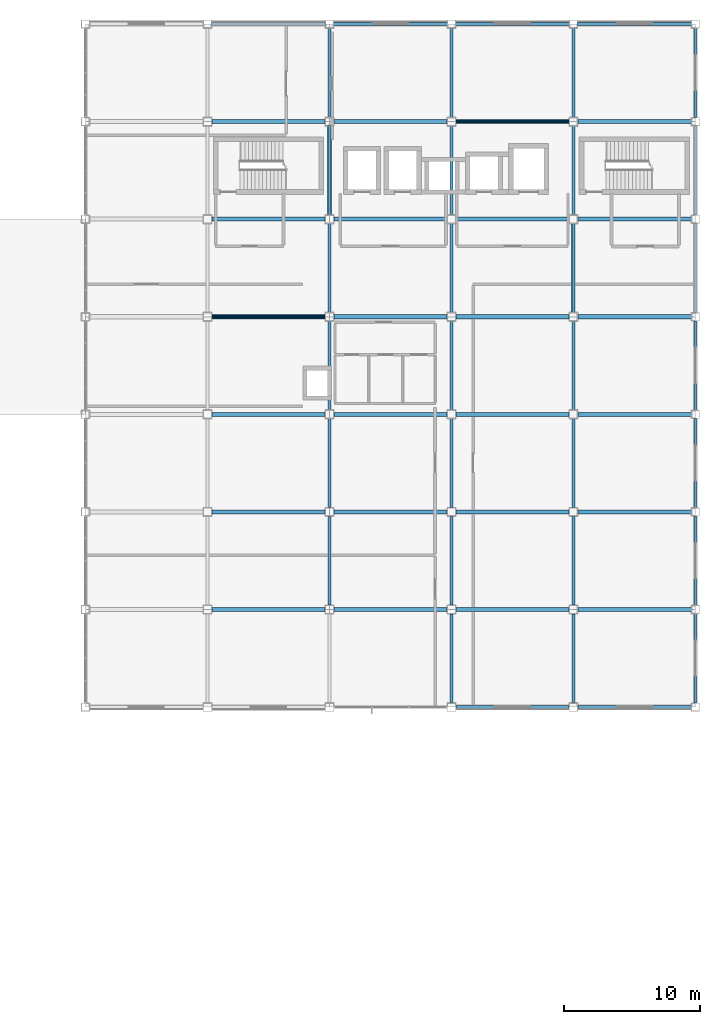
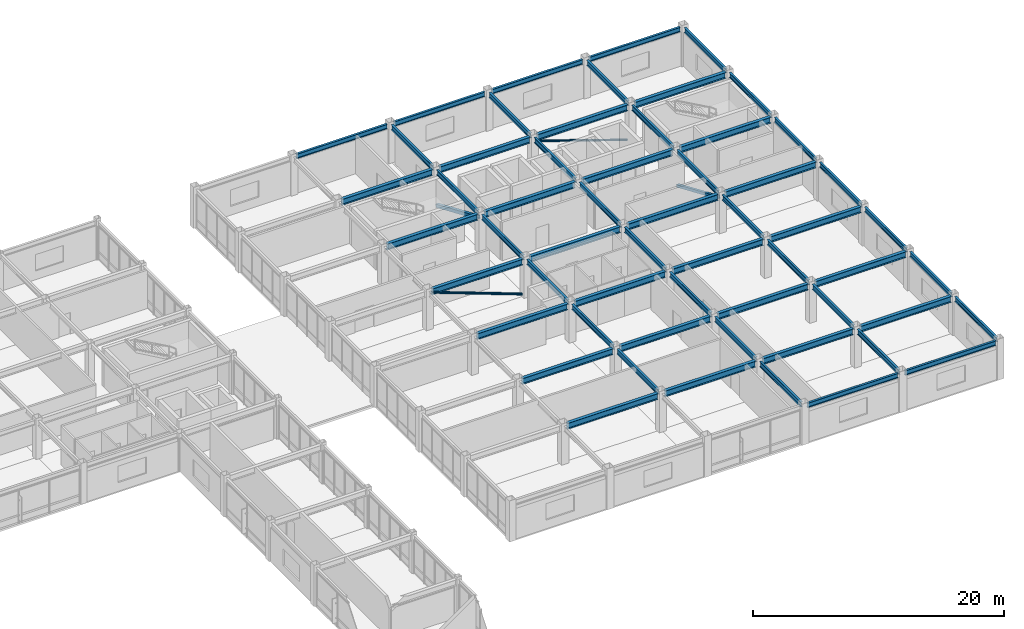
# One storey, part 82 of 113: 57 beams, 4 members.
"""IFC4 building model written with IfcOpenShell, lengths in metres."""

import ifcopenshell
import ifcopenshell.guid

model = None  # the IFC model being written
_history = None  # IfcOwnerHistory: only IFC2X3 demands one
_inside = {}  # id of a spatial element -> (the spatial element, [elements in it])
_under = {}  # id of a project, library or spatial element -> (it, [spatial elements below it])
_declared = {}  # id of a project -> (the project, [libraries it declares])
_typed = {}  # id of a type object -> (the type object, [elements of that type])
_made_of = {}  # id of a material, layer set ... -> (it, [elements and type objects made of it])


def new_model(schema):
    """Start an empty IFC model of exactly this schema.

    Asked for "IFC4X3", IfcOpenShell would pick the latest addendum, in which some entities
    have other attributes; the version numbers below select the first issue.
    IFC2X3 requires an IfcOwnerHistory on every rooted entity: one is made here for all.
    """
    global model, _history
    if schema == "IFC4X3":
        model = ifcopenshell.file(schema_version=(4, 3, 0, 0))
    else:
        model = ifcopenshell.file(schema=schema)
    _inside.clear()
    _under.clear()
    _declared.clear()
    _typed.clear()
    _made_of.clear()
    _history = None
    if model.schema == "IFC2X3":
        org = make("IfcOrganization", Name="unknown")
        user = make(
            "IfcPersonAndOrganization",
            ThePerson=make("IfcPerson", FamilyName="unknown"),
            TheOrganization=org,
        )
        app = make(
            "IfcApplication",
            ApplicationDeveloper=org,
            Version="unknown",
            ApplicationFullName="unknown",
            ApplicationIdentifier="unknown",
        )
        _history = make(
            "IfcOwnerHistory",
            OwningUser=user,
            OwningApplication=app,
            ChangeAction="ADDED",
            CreationDate=0,
        )
    return model


def make(cls, **values):
    """One entity of the class cls with the attributes given. An attribute that is None is left unset."""
    return model.create_entity(
        cls, **{name: value for name, value in values.items() if value is not None}
    )


def rooted(cls, **values):
    """An entity with a GlobalId (a new one), such as an element, a storey or a relation."""
    return make(cls, GlobalId=ifcopenshell.guid.new(), OwnerHistory=_history, **values)


def si_unit(unit_type, name, prefix=None):
    """IfcSIUnit, for example si_unit("LENGTHUNIT", "METRE", prefix="MILLI")."""
    return make("IfcSIUnit", UnitType=unit_type, Prefix=prefix, Name=name)


def assignment(units):
    """IfcUnitAssignment: the units of a project."""
    return None if units is None else make("IfcUnitAssignment", Units=units)


def point(xyz):
    """IfcCartesianPoint."""
    return None if xyz is None else make("IfcCartesianPoint", Coordinates=xyz)


def direction(xyz):
    """IfcDirection."""
    return None if xyz is None else make("IfcDirection", DirectionRatios=xyz)


def frame(location, z_axis=None, x_axis=None):
    """IfcAxis2Placement3D, a coordinate frame: its origin and axes. An axis left out is left unset."""
    return make(
        "IfcAxis2Placement3D",
        Location=point(location),
        Axis=direction(z_axis),
        RefDirection=direction(x_axis),
    )


def frame_2d(location, x_axis=None):
    """IfcAxis2Placement2D, a coordinate frame in the plane: its origin and x axis."""
    return make(
        "IfcAxis2Placement2D", Location=point(location), RefDirection=direction(x_axis)
    )


def origin():
    """The frame at (0, 0, 0) with its axes left unset."""
    return frame((0.0, 0.0, 0.0))


def origin_2d():
    """The frame at (0, 0) in the plane with its x axis left unset."""
    return frame_2d((0.0, 0.0))


def place(relative_to, where):
    """IfcLocalPlacement: puts the frame where relative to a parent placement (None: the world)."""
    return make(
        "IfcLocalPlacement", PlacementRelTo=relative_to, RelativePlacement=where
    )


def context(
    kind, dimensions, precision=None, world=None, true_north=None, identifier=None
):
    """IfcGeometricRepresentationContext, for example the 3D "Model" context."""
    return make(
        "IfcGeometricRepresentationContext",
        ContextIdentifier=identifier,
        ContextType=kind,
        CoordinateSpaceDimension=dimensions,
        Precision=precision,
        WorldCoordinateSystem=world,
        TrueNorth=true_north,
    )


def subcontext(parent, identifier, kind, view, scale=None):
    """IfcGeometricRepresentationSubContext, for example "Body" below "Model"."""
    return make(
        "IfcGeometricRepresentationSubContext",
        ContextIdentifier=identifier,
        ContextType=kind,
        ParentContext=parent,
        TargetScale=scale,
        TargetView=view,
    )


def project(units=None, contexts=None):
    """IfcProject with its units and contexts."""
    return rooted(
        "IfcProject",
        Name="project",
        RepresentationContexts=contexts,
        UnitsInContext=assignment(units),
    )


def spatial(cls, under=None, at=None, **own):
    """A site, building, storey or space (cls), placed at a placement, below another one or the project."""
    s = rooted(cls, ObjectPlacement=at, **own)
    if under is not None:
        _under.setdefault(under.id(), (under, []))[1].append(s)
    return s


def profile(cls, at=None, kind="AREA", **sizes):
    """A parametric profile (cls). Its sizes go by their IFC names, for example OverallWidth=200.0."""
    return make(cls, ProfileType=kind, Position=at, **sizes)


def hollow_rectangle(**sizes):
    """IfcRectangleHollowProfileDef."""
    return profile("IfcRectangleHollowProfileDef", **sizes)


def hollow_circle(**sizes):
    """IfcCircleHollowProfileDef."""
    return profile("IfcCircleHollowProfileDef", **sizes)


def i_section(**sizes):
    """IfcIShapeProfileDef."""
    return profile("IfcIShapeProfileDef", **sizes)


def extrude(swept, where, along, depth):
    """IfcExtrudedAreaSolid: the profile swept, set in the frame where, extruded along a direction by depth."""
    return make(
        "IfcExtrudedAreaSolid",
        SweptArea=swept,
        Position=where,
        ExtrudedDirection=direction(along),
        Depth=depth,
    )


def shape(context_of_items, identifier, shape_type, items):
    """IfcShapeRepresentation: the items that make up one representation, for example the "Body"."""
    return make(
        "IfcShapeRepresentation",
        ContextOfItems=context_of_items,
        RepresentationIdentifier=identifier,
        RepresentationType=shape_type,
        Items=items,
    )


def material(Name=None, Category=None):
    """IfcMaterial."""
    return make("IfcMaterial", Name=Name, Category=Category)


def material_profile(
    of_material, cross_section, Name=None, Category=None, Priority=None
):
    """IfcMaterialProfile: a cross section and its material."""
    return make(
        "IfcMaterialProfile",
        Name=Name,
        Material=of_material,
        Profile=cross_section,
        Priority=Priority,
        Category=Category,
    )


def profile_set(profiles, Name=None, composite=None):
    """IfcMaterialProfileSet."""
    return make(
        "IfcMaterialProfileSet",
        Name=Name,
        MaterialProfiles=profiles,
        CompositeProfile=composite,
    )


def made_of(thing, what):
    """Note that an element or type object is made of a material, layer set ...; save() writes the relation."""
    if what is not None:
        _made_of.setdefault(what.id(), (what, []))[1].append(thing)
    return thing


def type_object(cls, material=None, **own):
    """A type object (cls), such as IfcWallType, which elements share."""
    return made_of(rooted(cls, **own), material)


def element(
    cls,
    number,
    at=None,
    inside=None,
    cuts=None,
    type_object=None,
    material=None,
    context=None,
    identifier="Body",
    shape_type=None,
    held_by="IfcProductDefinitionShape",
    body=None,
    shapes=None,
    **own,
):
    """One element of the class cls, such as IfcWall. Its Tag is "e" and its number.

    at: its placement. inside: the storey or other place that contains it. cuts: it is an
    opening in that element (IfcRelVoidsElement). A single representation is given by context,
    identifier, shape_type and body (its items); several are given by shapes. held_by: the class
    of the entity that holds the representations. save() writes the other relations.
    """
    e = rooted(cls, Tag="e%d" % number, ObjectPlacement=at, **own)
    if body is not None:
        shapes = [shape(context, identifier, shape_type, body)]
    if shapes is not None:
        e.Representation = make(held_by, Representations=shapes)
    if inside is not None:
        _inside.setdefault(inside.id(), (inside, []))[1].append(e)
    if cuts is not None:
        rooted(
            "IfcRelVoidsElement", RelatingBuildingElement=cuts, RelatedOpeningElement=e
        )
    if type_object is not None:
        _typed.setdefault(type_object.id(), (type_object, []))[1].append(e)
    return made_of(e, material)


def aggregate(whole, parts):
    """IfcRelAggregates: a whole, such as a stair, and the parts it consists of."""
    return rooted("IfcRelAggregates", RelatingObject=whole, RelatedObjects=parts)


def save(model, path):
    """Write the relations noted so far, then the file.

    IfcRelAggregates (storeys below a building ...), IfcRelContainedInSpatialStructure (elements
    in a storey), IfcRelDefinesByType, IfcRelAssociatesMaterial and IfcRelDeclares: one each for
    every whole, place, type object, material and project.
    """
    for whole, parts in _under.values():
        aggregate(whole, parts)
    for where, things in _inside.values():
        rooted(
            "IfcRelContainedInSpatialStructure",
            RelatedElements=things,
            RelatingStructure=where,
        )
    for kind, things in _typed.values():
        rooted("IfcRelDefinesByType", RelatedObjects=things, RelatingType=kind)
    for what, things in _made_of.values():
        rooted("IfcRelAssociatesMaterial", RelatedObjects=things, RelatingMaterial=what)
    for by, libraries in _declared.values():
        rooted("IfcRelDeclares", RelatingContext=by, RelatedDefinitions=libraries)
    model.write(path)


model = new_model("IFC4")

# Units and contexts
model_context = context("Model", 3, precision=1e-05, world=origin(), true_north=direction((0.0, 1.0)))
body_context = subcontext(model_context, "Body", "Model", "MODEL_VIEW")
ifc_project = project(units=[si_unit("LENGTHUNIT", "METRE"), si_unit("AREAUNIT", "SQUARE_METRE"), si_unit("VOLUMEUNIT", "CUBIC_METRE"), si_unit("PLANEANGLEUNIT", "RADIAN"), si_unit("MASSUNIT", "GRAM", prefix="KILO")], contexts=[model_context])

# Site, building, storey
site_placement = place(None, origin())
site = spatial("IfcSite", under=ifc_project, at=site_placement, CompositionType="ELEMENT")
building_placement = place(site_placement, origin())
building = spatial("IfcBuilding", under=site, at=building_placement, Name="Kazanami Central Library", CompositionType="ELEMENT")
storey_placement = place(building_placement, frame((0.0, 0.0, 8.800048828125)))
storey = spatial("IfcBuildingStorey", under=building, at=storey_placement, Name="L03", CompositionType="ELEMENT", Elevation=8.800048828125)

# Beams
ifc_material_1 = material(Name="Steel SN490B (325 MPa)", Category="steel")
ifc_material_profile_1 = material_profile(ifc_material_1, i_section(OverallWidth=0.300048828125, OverallDepth=0.587890625, WebThickness=0.011962890625, FlangeThickness=0.02001953125, at=origin_2d()), Name="H-588x300x12x20")
ifc_profile_set_1 = profile_set([ifc_material_profile_1], Name="Steel SN490B (325 MPa)")
beam_type_1 = type_object("IfcBeamType", Name="BM-G-X2", PredefinedType="BEAM", material=ifc_profile_set_1)
for number, where, z_axis, x_axis, name in (
    (1, (126.322998046875, 50.39990234375, 3.450927734375), (1.0, 0.0, 0.0), (0.0, 1.0, 0.0), "Girder G-X2 L03 H/15-16"),
    (2, (135.322998046875, 50.39990234375, 3.450927734375), (1.0, 0.0, 0.0), (0.0, 1.0, 0.0), "Girder G-X2 L03 H/16-17"),
    (3, (144.322998046875, 50.39990234375, 3.450927734375), (1.0, 0.0, 0.0), (0.0, 1.0, 0.0), "Girder G-X2 L03 H/17-18"),
):
    element("IfcBeam", number, at=place(storey_placement, frame(where, z_axis=z_axis, x_axis=x_axis)), inside=storey, type_object=beam_type_1, Name=name, PredefinedType="BEAM", context=body_context, shape_type="SweptSolid", body=[
        extrude(i_section(OverallWidth=0.300048828125, OverallDepth=0.587890625, WebThickness=0.011962890625, FlangeThickness=0.02001953125, at=origin_2d()), origin(), (0.0, 0.0, 1.0), 8.35400390625),
    ])
beam_1_placement = place(storey_placement, frame((153.322998046875, 50.39990234375, 3.450927734375), z_axis=(1.0, 0.0, 0.0), x_axis=(0.0, 1.0, 0.0)))
element("IfcBeam", 4, at=beam_1_placement, inside=storey, type_object=beam_type_1, Name="Girder G-X2 L03 H/18-19", PredefinedType="BEAM", context=body_context, shape_type="SweptSolid", body=[
    extrude(i_section(OverallWidth=0.300048828125, OverallDepth=0.587890625, WebThickness=0.011962890625, FlangeThickness=0.02001953125, at=origin_2d()), origin(), (0.0, 0.0, 1.0), 8.37890625),
])
for number, where, z_axis, x_axis, name in (
    (5, (126.322998046875, 57.60009765625, 3.450927734375), (1.0, 0.0, 0.0), (0.0, 1.0, 0.0), "Girder G-X2 L03 J/15-16"),
    (6, (135.322998046875, 57.60009765625, 3.450927734375), (1.0, 0.0, 0.0), (0.0, 1.0, 0.0), "Girder G-X2 L03 J/16-17"),
    (7, (144.322998046875, 57.60009765625, 3.450927734375), (1.0, 0.0, 0.0), (0.0, 1.0, 0.0), "Girder G-X2 L03 J/17-18"),
):
    element("IfcBeam", number, at=place(storey_placement, frame(where, z_axis=z_axis, x_axis=x_axis)), inside=storey, type_object=beam_type_1, Name=name, PredefinedType="BEAM", context=body_context, shape_type="SweptSolid", body=[
        extrude(i_section(OverallWidth=0.300048828125, OverallDepth=0.587890625, WebThickness=0.011962890625, FlangeThickness=0.02001953125, at=origin_2d()), origin(), (0.0, 0.0, 1.0), 8.35400390625),
    ])
beam_2_placement = place(storey_placement, frame((153.322998046875, 57.60009765625, 3.450927734375), z_axis=(1.0, 0.0, 0.0), x_axis=(0.0, 1.0, 0.0)))
element("IfcBeam", 8, at=beam_2_placement, inside=storey, type_object=beam_type_1, Name="Girder G-X2 L03 J/18-19", PredefinedType="BEAM", context=body_context, shape_type="SweptSolid", body=[
    extrude(i_section(OverallWidth=0.300048828125, OverallDepth=0.587890625, WebThickness=0.011962890625, FlangeThickness=0.02001953125, at=origin_2d()), origin(), (0.0, 0.0, 1.0), 8.37890625),
])
for number, where, z_axis, x_axis, name in (
    (9, (126.322998046875, 64.800048828125, 3.450927734375), (1.0, 0.0, 0.0), (0.0, 1.0, 0.0), "Girder G-X2 L03 K/15-16"),
    (10, (135.322998046875, 64.800048828125, 3.450927734375), (1.0, 0.0, 0.0), (0.0, 1.0, 0.0), "Girder G-X2 L03 K/16-17"),
    (11, (144.322998046875, 64.800048828125, 3.450927734375), (1.0, 0.0, 0.0), (0.0, 1.0, 0.0), "Girder G-X2 L03 K/17-18"),
):
    element("IfcBeam", number, at=place(storey_placement, frame(where, z_axis=z_axis, x_axis=x_axis)), inside=storey, type_object=beam_type_1, Name=name, PredefinedType="BEAM", context=body_context, shape_type="SweptSolid", body=[
        extrude(i_section(OverallWidth=0.300048828125, OverallDepth=0.587890625, WebThickness=0.011962890625, FlangeThickness=0.02001953125, at=origin_2d()), origin(), (0.0, 0.0, 1.0), 8.35400390625),
    ])
beam_3_placement = place(storey_placement, frame((153.322998046875, 64.800048828125, 3.450927734375), z_axis=(1.0, 0.0, 0.0), x_axis=(0.0, 1.0, 0.0)))
element("IfcBeam", 12, at=beam_3_placement, inside=storey, type_object=beam_type_1, Name="Girder G-X2 L03 K/18-19", PredefinedType="BEAM", context=body_context, shape_type="SweptSolid", body=[
    extrude(i_section(OverallWidth=0.300048828125, OverallDepth=0.587890625, WebThickness=0.011962890625, FlangeThickness=0.02001953125, at=origin_2d()), origin(), (0.0, 0.0, 1.0), 8.37890625),
])
for number, where, z_axis, x_axis, name in (
    (13, (126.322998046875, 72.0, 3.450927734375), (1.0, 0.0, 0.0), (0.0, 1.0, 0.0), "Girder G-X2 L03 L/15-16"),
    (14, (135.322998046875, 72.0, 3.450927734375), (1.0, 0.0, 0.0), (0.0, 1.0, 0.0), "Girder G-X2 L03 L/16-17"),
    (15, (144.322998046875, 72.0, 3.450927734375), (1.0, 0.0, 0.0), (0.0, 1.0, 0.0), "Girder G-X2 L03 L/17-18"),
):
    element("IfcBeam", number, at=place(storey_placement, frame(where, z_axis=z_axis, x_axis=x_axis)), inside=storey, type_object=beam_type_1, Name=name, PredefinedType="BEAM", context=body_context, shape_type="SweptSolid", body=[
        extrude(i_section(OverallWidth=0.300048828125, OverallDepth=0.587890625, WebThickness=0.011962890625, FlangeThickness=0.02001953125, at=origin_2d()), origin(), (0.0, 0.0, 1.0), 8.35400390625),
    ])
beam_4_placement = place(storey_placement, frame((153.322998046875, 72.0, 3.450927734375), z_axis=(1.0, 0.0, 0.0), x_axis=(0.0, 1.0, 0.0)))
element("IfcBeam", 16, at=beam_4_placement, inside=storey, type_object=beam_type_1, Name="Girder G-X2 L03 L/18-19", PredefinedType="BEAM", context=body_context, shape_type="SweptSolid", body=[
    extrude(i_section(OverallWidth=0.300048828125, OverallDepth=0.587890625, WebThickness=0.011962890625, FlangeThickness=0.02001953125, at=origin_2d()), origin(), (0.0, 0.0, 1.0), 8.37890625),
])
for number, where, z_axis, x_axis, name in (
    (17, (126.322998046875, 79.199951171875, 3.450927734375), (1.0, 0.0, 0.0), (0.0, 1.0, 0.0), "Girder G-X2 L03 M/15-16"),
    (18, (135.322998046875, 79.199951171875, 3.450927734375), (1.0, 0.0, 0.0), (0.0, 1.0, 0.0), "Girder G-X2 L03 M/16-17"),
    (19, (144.322998046875, 79.199951171875, 3.450927734375), (1.0, 0.0, 0.0), (0.0, 1.0, 0.0), "Girder G-X2 L03 M/17-18"),
):
    element("IfcBeam", number, at=place(storey_placement, frame(where, z_axis=z_axis, x_axis=x_axis)), inside=storey, type_object=beam_type_1, Name=name, PredefinedType="BEAM", context=body_context, shape_type="SweptSolid", body=[
        extrude(i_section(OverallWidth=0.300048828125, OverallDepth=0.587890625, WebThickness=0.011962890625, FlangeThickness=0.02001953125, at=origin_2d()), origin(), (0.0, 0.0, 1.0), 8.35400390625),
    ])
beam_5_placement = place(storey_placement, frame((153.322998046875, 79.199951171875, 3.450927734375), z_axis=(1.0, 0.0, 0.0), x_axis=(0.0, 1.0, 0.0)))
element("IfcBeam", 20, at=beam_5_placement, inside=storey, type_object=beam_type_1, Name="Girder G-X2 L03 M/18-19", PredefinedType="BEAM", context=body_context, shape_type="SweptSolid", body=[
    extrude(i_section(OverallWidth=0.300048828125, OverallDepth=0.587890625, WebThickness=0.011962890625, FlangeThickness=0.02001953125, at=origin_2d()), origin(), (0.0, 0.0, 1.0), 8.37890625),
])
for number, where, z_axis, x_axis, name in (
    (21, (126.322998046875, 86.39990234375, 3.450927734375), (1.0, 0.0, 0.0), (0.0, 1.0, 0.0), "Girder G-X2 L03 N/15-16"),
    (22, (135.322998046875, 86.39990234375, 3.450927734375), (1.0, 0.0, 0.0), (0.0, 1.0, 0.0), "Girder G-X2 L03 N/16-17"),
    (23, (144.322998046875, 86.39990234375, 3.450927734375), (1.0, 0.0, 0.0), (0.0, 1.0, 0.0), "Girder G-X2 L03 N/17-18"),
):
    element("IfcBeam", number, at=place(storey_placement, frame(where, z_axis=z_axis, x_axis=x_axis)), inside=storey, type_object=beam_type_1, Name=name, PredefinedType="BEAM", context=body_context, shape_type="SweptSolid", body=[
        extrude(i_section(OverallWidth=0.300048828125, OverallDepth=0.587890625, WebThickness=0.011962890625, FlangeThickness=0.02001953125, at=origin_2d()), origin(), (0.0, 0.0, 1.0), 8.35400390625),
    ])
beam_6_placement = place(storey_placement, frame((153.322998046875, 86.39990234375, 3.450927734375), z_axis=(1.0, 0.0, 0.0), x_axis=(0.0, 1.0, 0.0)))
element("IfcBeam", 24, at=beam_6_placement, inside=storey, type_object=beam_type_1, Name="Girder G-X2 L03 N/18-19", PredefinedType="BEAM", context=body_context, shape_type="SweptSolid", body=[
    extrude(i_section(OverallWidth=0.300048828125, OverallDepth=0.587890625, WebThickness=0.011962890625, FlangeThickness=0.02001953125, at=origin_2d()), origin(), (0.0, 0.0, 1.0), 8.37890625),
])
ifc_material_profile_2 = material_profile(ifc_material_1, i_section(OverallWidth=0.199951171875, OverallDepth=0.5, WebThickness=0.010009765625, FlangeThickness=0.01611328125, at=origin_2d()), Name="H-500x200x10x16")
ifc_profile_set_2 = profile_set([ifc_material_profile_2], Name="Steel SN490B (325 MPa)")
beam_type_2 = type_object("IfcBeamType", Name="BM-G-Y2", PredefinedType="BEAM", material=ifc_profile_set_2)
beam_7_placement = place(storey_placement, frame((135.0, 50.722900390625, 3.494873046875), z_axis=(0.0, 1.0, 0.0), x_axis=(-1.0, 0.0, 0.0)))
element("IfcBeam", 25, at=beam_7_placement, inside=storey, type_object=beam_type_2, Name="Girder G-Y2 L03 16/H-J", PredefinedType="BEAM", context=body_context, shape_type="SweptSolid", body=[
    extrude(i_section(OverallWidth=0.199951171875, OverallDepth=0.5, WebThickness=0.010009765625, FlangeThickness=0.01611328125, at=origin_2d()), origin(), (0.0, 0.0, 1.0), 6.55419921875),
])
for number, where, z_axis, x_axis, name in (
    (26, (135.0, 57.923095703125, 3.494873046875), (0.0, 1.0, 0.0), (-1.0, 0.0, 0.0), "Girder G-Y2 L03 16/J-K"),
    (27, (135.0, 65.123046875, 3.494873046875), (0.0, 1.0, 0.0), (-1.0, 0.0, 0.0), "Girder G-Y2 L03 16/K-L"),
    (28, (135.0, 72.322998046875, 3.494873046875), (0.0, 1.0, 0.0), (-1.0, 0.0, 0.0), "Girder G-Y2 L03 16/L-M"),
    (29, (135.0, 79.52294921875, 3.494873046875), (0.0, 1.0, 0.0), (-1.0, 0.0, 0.0), "Girder G-Y2 L03 16/M-N"),
):
    element("IfcBeam", number, at=place(storey_placement, frame(where, z_axis=z_axis, x_axis=x_axis)), inside=storey, type_object=beam_type_2, Name=name, PredefinedType="BEAM", context=body_context, shape_type="SweptSolid", body=[
        extrude(i_section(OverallWidth=0.199951171875, OverallDepth=0.5, WebThickness=0.010009765625, FlangeThickness=0.01611328125, at=origin_2d()), origin(), (0.0, 0.0, 1.0), 6.553955078125),
    ])
beam_8_placement = place(storey_placement, frame((135.0, 86.722900390625, 3.494873046875), z_axis=(0.0, 1.0, 0.0), x_axis=(-1.0, 0.0, 0.0)))
element("IfcBeam", 30, at=beam_8_placement, inside=storey, type_object=beam_type_2, Name="Girder G-Y2 L03 16/N-O", PredefinedType="BEAM", context=body_context, shape_type="SweptSolid", body=[
    extrude(i_section(OverallWidth=0.199951171875, OverallDepth=0.5, WebThickness=0.010009765625, FlangeThickness=0.01611328125, at=origin_2d()), origin(), (0.0, 0.0, 1.0), 6.5791015625),
])
beam_9_placement = place(storey_placement, frame((144.0, 43.52294921875, 3.494873046875), z_axis=(0.0, 1.0, 0.0), x_axis=(-1.0, 0.0, 0.0)))
element("IfcBeam", 31, at=beam_9_placement, inside=storey, type_object=beam_type_2, Name="Girder G-Y2 L03 17/G-H", PredefinedType="BEAM", context=body_context, shape_type="SweptSolid", body=[
    extrude(i_section(OverallWidth=0.199951171875, OverallDepth=0.5, WebThickness=0.010009765625, FlangeThickness=0.01611328125, at=origin_2d()), origin(), (0.0, 0.0, 1.0), 6.553955078125),
])
beam_10_placement = place(storey_placement, frame((144.0, 50.722900390625, 3.494873046875), z_axis=(0.0, 1.0, 0.0), x_axis=(-1.0, 0.0, 0.0)))
element("IfcBeam", 32, at=beam_10_placement, inside=storey, type_object=beam_type_2, Name="Girder G-Y2 L03 17/H-J", PredefinedType="BEAM", context=body_context, shape_type="SweptSolid", body=[
    extrude(i_section(OverallWidth=0.199951171875, OverallDepth=0.5, WebThickness=0.010009765625, FlangeThickness=0.01611328125, at=origin_2d()), origin(), (0.0, 0.0, 1.0), 6.55419921875),
])
for number, where, z_axis, x_axis, name in (
    (33, (144.0, 57.923095703125, 3.494873046875), (0.0, 1.0, 0.0), (-1.0, 0.0, 0.0), "Girder G-Y2 L03 17/J-K"),
    (34, (144.0, 65.123046875, 3.494873046875), (0.0, 1.0, 0.0), (-1.0, 0.0, 0.0), "Girder G-Y2 L03 17/K-L"),
    (35, (144.0, 72.322998046875, 3.494873046875), (0.0, 1.0, 0.0), (-1.0, 0.0, 0.0), "Girder G-Y2 L03 17/L-M"),
    (36, (144.0, 79.52294921875, 3.494873046875), (0.0, 1.0, 0.0), (-1.0, 0.0, 0.0), "Girder G-Y2 L03 17/M-N"),
):
    element("IfcBeam", number, at=place(storey_placement, frame(where, z_axis=z_axis, x_axis=x_axis)), inside=storey, type_object=beam_type_2, Name=name, PredefinedType="BEAM", context=body_context, shape_type="SweptSolid", body=[
        extrude(i_section(OverallWidth=0.199951171875, OverallDepth=0.5, WebThickness=0.010009765625, FlangeThickness=0.01611328125, at=origin_2d()), origin(), (0.0, 0.0, 1.0), 6.553955078125),
    ])
beam_11_placement = place(storey_placement, frame((144.0, 86.722900390625, 3.494873046875), z_axis=(0.0, 1.0, 0.0), x_axis=(-1.0, 0.0, 0.0)))
element("IfcBeam", 37, at=beam_11_placement, inside=storey, type_object=beam_type_2, Name="Girder G-Y2 L03 17/N-O", PredefinedType="BEAM", context=body_context, shape_type="SweptSolid", body=[
    extrude(i_section(OverallWidth=0.199951171875, OverallDepth=0.5, WebThickness=0.010009765625, FlangeThickness=0.01611328125, at=origin_2d()), origin(), (0.0, 0.0, 1.0), 6.5791015625),
])
beam_12_placement = place(storey_placement, frame((153.0, 43.52294921875, 3.494873046875), z_axis=(0.0, 1.0, 0.0), x_axis=(-1.0, 0.0, 0.0)))
element("IfcBeam", 38, at=beam_12_placement, inside=storey, type_object=beam_type_2, Name="Girder G-Y2 L03 18/G-H", PredefinedType="BEAM", context=body_context, shape_type="SweptSolid", body=[
    extrude(i_section(OverallWidth=0.199951171875, OverallDepth=0.5, WebThickness=0.010009765625, FlangeThickness=0.01611328125, at=origin_2d()), origin(), (0.0, 0.0, 1.0), 6.553955078125),
])
beam_13_placement = place(storey_placement, frame((153.0, 50.722900390625, 3.494873046875), z_axis=(0.0, 1.0, 0.0), x_axis=(-1.0, 0.0, 0.0)))
element("IfcBeam", 39, at=beam_13_placement, inside=storey, type_object=beam_type_2, Name="Girder G-Y2 L03 18/H-J", PredefinedType="BEAM", context=body_context, shape_type="SweptSolid", body=[
    extrude(i_section(OverallWidth=0.199951171875, OverallDepth=0.5, WebThickness=0.010009765625, FlangeThickness=0.01611328125, at=origin_2d()), origin(), (0.0, 0.0, 1.0), 6.55419921875),
])
for number, where, z_axis, x_axis, name in (
    (40, (153.0, 57.923095703125, 3.494873046875), (0.0, 1.0, 0.0), (-1.0, 0.0, 0.0), "Girder G-Y2 L03 18/J-K"),
    (41, (153.0, 65.123046875, 3.494873046875), (0.0, 1.0, 0.0), (-1.0, 0.0, 0.0), "Girder G-Y2 L03 18/K-L"),
    (42, (153.0, 72.322998046875, 3.494873046875), (0.0, 1.0, 0.0), (-1.0, 0.0, 0.0), "Girder G-Y2 L03 18/L-M"),
    (43, (153.0, 79.52294921875, 3.494873046875), (0.0, 1.0, 0.0), (-1.0, 0.0, 0.0), "Girder G-Y2 L03 18/M-N"),
):
    element("IfcBeam", number, at=place(storey_placement, frame(where, z_axis=z_axis, x_axis=x_axis)), inside=storey, type_object=beam_type_2, Name=name, PredefinedType="BEAM", context=body_context, shape_type="SweptSolid", body=[
        extrude(i_section(OverallWidth=0.199951171875, OverallDepth=0.5, WebThickness=0.010009765625, FlangeThickness=0.01611328125, at=origin_2d()), origin(), (0.0, 0.0, 1.0), 6.553955078125),
    ])
beam_14_placement = place(storey_placement, frame((153.0, 86.722900390625, 3.494873046875), z_axis=(0.0, 1.0, 0.0), x_axis=(-1.0, 0.0, 0.0)))
element("IfcBeam", 44, at=beam_14_placement, inside=storey, type_object=beam_type_2, Name="Girder G-Y2 L03 18/N-O", PredefinedType="BEAM", context=body_context, shape_type="SweptSolid", body=[
    extrude(i_section(OverallWidth=0.199951171875, OverallDepth=0.5, WebThickness=0.010009765625, FlangeThickness=0.01611328125, at=origin_2d()), origin(), (0.0, 0.0, 1.0), 6.5791015625),
])
ifc_material_profile_3 = material_profile(ifc_material_1, i_section(OverallWidth=0.199951171875, OverallDepth=0.449951171875, WebThickness=0.009033203125, FlangeThickness=0.013916015625, at=origin_2d()), Name="H-450x200x9x14")
ifc_profile_set_3 = profile_set([ifc_material_profile_3], Name="Steel SN490B (325 MPa)")
beam_type_3 = type_object("IfcBeamType", Name="BM-SP-2", PredefinedType="SPANDREL", material=ifc_profile_set_3)
beam_15_placement = place(storey_placement, frame((144.322998046875, 43.199951171875, 3.52001953125), z_axis=(1.0, 0.0, 0.0), x_axis=(0.0, 1.0, 0.0)))
element("IfcBeam", 45, at=beam_15_placement, inside=storey, type_object=beam_type_3, Name="Girder SP-2 L03 G/17-18", PredefinedType="SPANDREL", context=body_context, shape_type="SweptSolid", body=[
    extrude(i_section(OverallWidth=0.199951171875, OverallDepth=0.449951171875, WebThickness=0.009033203125, FlangeThickness=0.013916015625, at=origin_2d()), origin(), (0.0, 0.0, 1.0), 8.35400390625),
])
beam_16_placement = place(storey_placement, frame((153.322998046875, 43.199951171875, 3.52001953125), z_axis=(1.0, 0.0, 0.0), x_axis=(0.0, 1.0, 0.0)))
element("IfcBeam", 46, at=beam_16_placement, inside=storey, type_object=beam_type_3, Name="Girder SP-2 L03 G/18-19", PredefinedType="SPANDREL", context=body_context, shape_type="SweptSolid", body=[
    extrude(i_section(OverallWidth=0.199951171875, OverallDepth=0.449951171875, WebThickness=0.009033203125, FlangeThickness=0.013916015625, at=origin_2d()), origin(), (0.0, 0.0, 1.0), 8.37890625),
])
for number, where, z_axis, x_axis, name in (
    (47, (126.298095703125, 93.60009765625, 3.52001953125), (1.0, 0.0, 0.0), (0.0, 1.0, 0.0), "Girder SP-2 L03 O/15-16"),
    (48, (135.298095703125, 93.60009765625, 3.52001953125), (1.0, 0.0, 0.0), (0.0, 1.0, 0.0), "Girder SP-2 L03 O/16-17"),
    (49, (144.298095703125, 93.60009765625, 3.52001953125), (1.0, 0.0, 0.0), (0.0, 1.0, 0.0), "Girder SP-2 L03 O/17-18"),
    (50, (153.298095703125, 93.60009765625, 3.52001953125), (1.0, 0.0, 0.0), (0.0, 1.0, 0.0), "Girder SP-2 L03 O/18-19"),
):
    element("IfcBeam", number, at=place(storey_placement, frame(where, z_axis=z_axis, x_axis=x_axis)), inside=storey, type_object=beam_type_3, Name=name, PredefinedType="SPANDREL", context=body_context, shape_type="SweptSolid", body=[
        extrude(i_section(OverallWidth=0.199951171875, OverallDepth=0.449951171875, WebThickness=0.009033203125, FlangeThickness=0.013916015625, at=origin_2d()), origin(), (0.0, 0.0, 1.0), 8.40380859375),
    ])
for number, where, z_axis, x_axis, name in (
    (51, (162.0, 43.498046875, 3.52001953125), (0.0, 1.0, 0.0), (-1.0, 0.0, 0.0), "Girder SP-2 L03 19/G-H"),
    (52, (162.0, 50.697998046875, 3.52001953125), (0.0, 1.0, 0.0), (-1.0, 0.0, 0.0), "Girder SP-2 L03 19/H-J"),
    (53, (162.0, 57.89794921875, 3.52001953125), (0.0, 1.0, 0.0), (-1.0, 0.0, 0.0), "Girder SP-2 L03 19/J-K"),
    (54, (162.0, 65.097900390625, 3.52001953125), (0.0, 1.0, 0.0), (-1.0, 0.0, 0.0), "Girder SP-2 L03 19/K-L"),
    (55, (162.0, 72.298095703125, 3.52001953125), (0.0, 1.0, 0.0), (-1.0, 0.0, 0.0), "Girder SP-2 L03 19/L-M"),
    (56, (162.0, 79.498046875, 3.52001953125), (0.0, 1.0, 0.0), (-1.0, 0.0, 0.0), "Girder SP-2 L03 19/M-N"),
    (57, (162.0, 86.697998046875, 3.52001953125), (0.0, 1.0, 0.0), (-1.0, 0.0, 0.0), "Girder SP-2 L03 19/N-O"),
):
    element("IfcBeam", number, at=place(storey_placement, frame(where, z_axis=z_axis, x_axis=x_axis)), inside=storey, type_object=beam_type_3, Name=name, PredefinedType="SPANDREL", context=body_context, shape_type="SweptSolid", body=[
        extrude(i_section(OverallWidth=0.199951171875, OverallDepth=0.449951171875, WebThickness=0.009033203125, FlangeThickness=0.013916015625, at=origin_2d()), origin(), (0.0, 0.0, 1.0), 6.60400390625),
    ])

# Members
ifc_material_2 = material(Name="Steel STK490 (315 MPa)", Category="steel")
ifc_material_profile_4 = material_profile(ifc_material_2, hollow_circle(Radius=0.108154296875, WallThickness=0.00830078125, at=origin_2d()), Name="CHS-216.3x8.2")
ifc_profile_set_4 = profile_set([ifc_material_profile_4], Name="Steel STK490 (315 MPa)")
member_type_1 = type_object("IfcMemberType", Name="MEM-BR-04", PredefinedType="BRACE", material=ifc_profile_set_4)
member_1_placement = place(storey_placement, frame((134.675048828125, 72.0, 0.25), z_axis=(-0.937663079608, 0.0, 0.34754560728), x_axis=(0.0, -1.0, 0.0)))
element("IfcMember", 58, at=member_1_placement, inside=storey, type_object=member_type_1, Name="Concentric Steel Brace BR-04 L03 BF-V2A", PredefinedType="BRACE", context=body_context, shape_type="SweptSolid", body=[
    extrude(hollow_circle(Radius=0.108154296875, WallThickness=0.00830078125, at=origin_2d()), origin(), (0.0, 0.0, 1.0), 8.9052734375),
])
ifc_material_profile_5 = material_profile(ifc_material_2, hollow_circle(Radius=0.095458984375, WallThickness=0.007080078125, at=origin_2d()), Name="CHS-190.7x7.0")
ifc_profile_set_5 = profile_set([ifc_material_profile_5], Name="Steel STK490 (315 MPa)")
member_type_2 = type_object("IfcMemberType", Name="MEM-BR-05", PredefinedType="BRACE", material=ifc_profile_set_5)
member_2_placement = place(storey_placement, frame((152.675048828125, 86.39990234375, 0.25), z_axis=(-0.947602821166, 0.0, 0.319450924742), x_axis=(0.0, -1.0, 0.0)))
element("IfcMember", 59, at=member_2_placement, inside=storey, type_object=member_type_2, Name="Concentric Steel Brace BR-05 L03 BF-V2B", PredefinedType="BRACE", context=body_context, shape_type="SweptSolid", body=[
    extrude(hollow_circle(Radius=0.095458984375, WallThickness=0.007080078125, at=origin_2d()), origin(), (0.0, 0.0, 1.0), 8.811767578125),
])
ifc_material_profile_6 = material_profile(ifc_material_2, hollow_rectangle(XDim=0.300048828125, YDim=0.300048828125, WallThickness=0.011962890625, at=origin_2d()), Name="STKR-300x300x12")
ifc_profile_set_6 = profile_set([ifc_material_profile_6], Name="Steel STK490 (315 MPa)")
member_type_3 = type_object("IfcMemberType", Name="MEM-BR-06", PredefinedType="BRACE", material=ifc_profile_set_6)
member_3_placement = place(storey_placement, frame((135.0, 86.074951171875, 0.25), z_axis=(0.0, -0.918749573669, 0.394840753826), x_axis=(1.0, 0.0, 0.0)))
element("IfcMember", 60, at=member_3_placement, inside=storey, type_object=member_type_3, Name="Concentric Steel Brace BR-06 L03 BF-V2C", PredefinedType="BRACE", context=body_context, shape_type="SweptSolid", body=[
    extrude(hollow_rectangle(XDim=0.300048828125, YDim=0.300048828125, WallThickness=0.011962890625, at=origin_2d()), origin(), (0.0, 0.0, 1.0), 7.12939453125),
])
ifc_material_profile_7 = material_profile(ifc_material_2, hollow_rectangle(XDim=0.25, YDim=0.25, WallThickness=0.011962890625, at=origin_2d()), Name="STKR-250x250x12")
ifc_profile_set_7 = profile_set([ifc_material_profile_7], Name="Steel STK490 (315 MPa)")
member_type_4 = type_object("IfcMemberType", Name="MEM-BR-07", PredefinedType="BRACE", material=ifc_profile_set_7)
member_4_placement = place(storey_placement, frame((153.0, 78.875, 0.25), z_axis=(0.0, -0.918749573669, 0.394840753826), x_axis=(1.0, 0.0, 0.0)))
element("IfcMember", 61, at=member_4_placement, inside=storey, type_object=member_type_4, Name="Concentric Steel Brace BR-07 L03 BF-V2D", PredefinedType="BRACE", context=body_context, shape_type="SweptSolid", body=[
    extrude(hollow_rectangle(XDim=0.25, YDim=0.25, WallThickness=0.011962890625, at=origin_2d()), origin(), (0.0, 0.0, 1.0), 7.12939453125),
])

save(model, "model.ifc")
